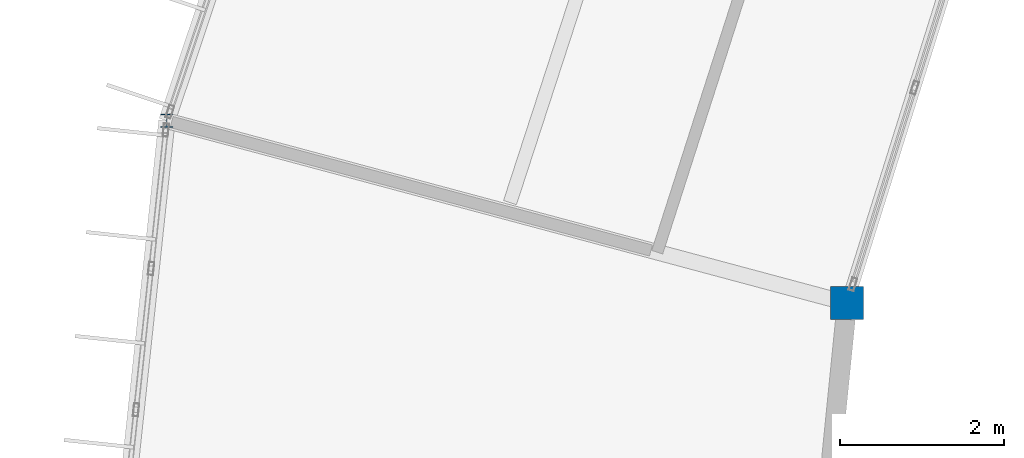
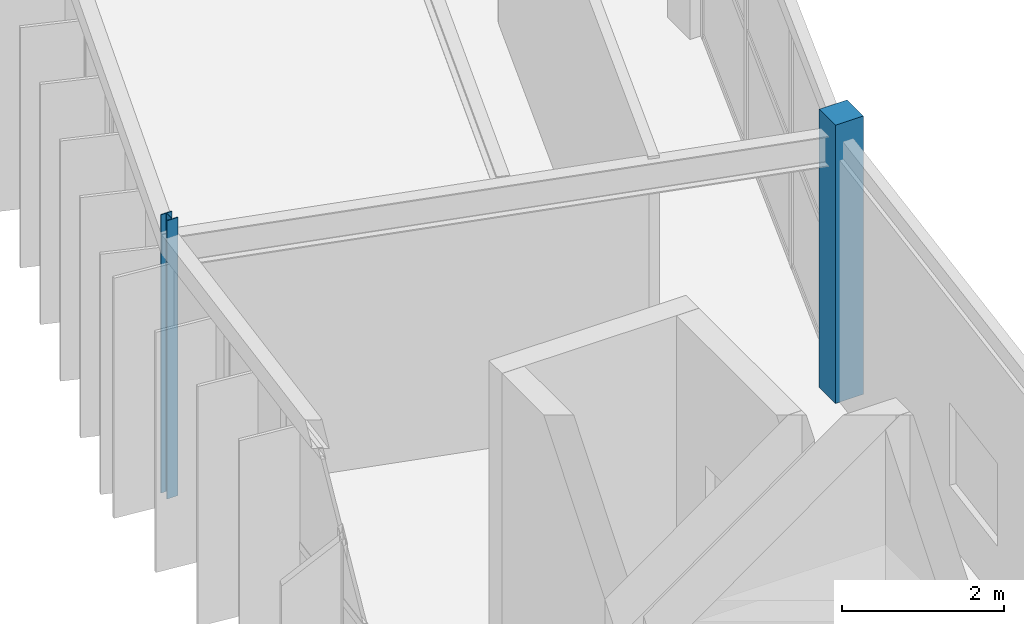
# One storey, part 5 of 134: 2 columns.
"""IFC4 building model written with IfcOpenShell, lengths in metres."""

from ifc_helpers import new_model, si_unit, direction, frame, origin, origin_2d, place, context, subcontext, project, spatial, rectangle, i_section, extrude, material, material_profile, profile_set, type_object, element, save


model = new_model("IFC4")

# Units and contexts
model_context = context("Model", 3, precision=1e-05, world=origin(), true_north=direction((0.0, 1.0)))
body_context = subcontext(model_context, "Body", "Model", "MODEL_VIEW")
ifc_project = project(units=[si_unit("LENGTHUNIT", "METRE"), si_unit("AREAUNIT", "SQUARE_METRE"), si_unit("VOLUMEUNIT", "CUBIC_METRE"), si_unit("PLANEANGLEUNIT", "RADIAN"), si_unit("MASSUNIT", "GRAM", prefix="KILO")], contexts=[model_context])

# Site, building, storey
site_placement = place(None, origin())
site = spatial("IfcSite", under=ifc_project, at=site_placement, CompositionType="ELEMENT")
building_placement = place(site_placement, origin())
building = spatial("IfcBuilding", under=site, at=building_placement, Name="Karori Crest Natural Sciences Institute", CompositionType="ELEMENT")
storey_placement = place(building_placement, frame((0.0, 0.0, 21.699951171875)))
storey = spatial("IfcBuildingStorey", under=building, at=storey_placement, Name="L05", CompositionType="ELEMENT", Elevation=21.699951171875)

# Columns
ifc_material_1 = material(Name="Structural steel AS/NZS 3679.1 Grade 350", Category="steel")
ifc_material_profile_1 = material_profile(ifc_material_1, i_section(OverallWidth=0.154052734375, OverallDepth=0.162109375, WebThickness=0.008056640625, FlangeThickness=0.011474609375, FilletRadius=0.009033203125, at=origin_2d()), Name="150UC37.2")
ifc_profile_set_1 = profile_set([ifc_material_profile_1], Name="Structural steel AS/NZS 3679.1 Grade 350")
column_type_1 = type_object("IfcColumnType", Name="CT-26", PredefinedType="COLUMN", material=ifc_profile_set_1)
column_1_placement = place(storey_placement, frame((34.5244140625, 60.459716796875, 0.0), z_axis=(0.0, 0.0, 1.0), x_axis=(1.0, 0.0, 0.0)))
element("IfcColumn", 1, at=column_1_placement, inside=storey, type_object=column_type_1, Name="Column C-0201", PredefinedType="COLUMN", context=body_context, shape_type="SweptSolid", body=[
    extrude(i_section(OverallWidth=0.154052734375, OverallDepth=0.162109375, WebThickness=0.008056640625, FlangeThickness=0.011474609375, FilletRadius=0.009033203125, at=origin_2d()), origin(), (0.0, 0.0, 1.0), 4.199951171875),
])
ifc_material_2 = material(Name="Concrete 50 MPa", Category="concrete")
ifc_material_profile_2 = material_profile(ifc_material_2, rectangle(XDim=0.39990234375, YDim=0.39990234375, at=origin_2d()), Name="RC400x400")
ifc_profile_set_2 = profile_set([ifc_material_profile_2], Name="Concrete 50 MPa")
column_type_2 = type_object("IfcColumnType", Name="CT-31", PredefinedType="PILASTER", material=ifc_profile_set_2)
column_2_placement = place(storey_placement, frame((42.831298828125, 58.23388671875, 0.0), z_axis=(0.0, 0.0, 1.0), x_axis=(1.0, 0.0, 0.0)))
element("IfcColumn", 2, at=column_2_placement, inside=storey, type_object=column_type_2, Name="Column C-0202", PredefinedType="PILASTER", context=body_context, shape_type="SweptSolid", body=[
    extrude(rectangle(XDim=0.39990234375, YDim=0.39990234375, at=origin_2d()), origin(), (0.0, 0.0, 1.0), 4.199951171875),
])

save(model, "model.ifc")
